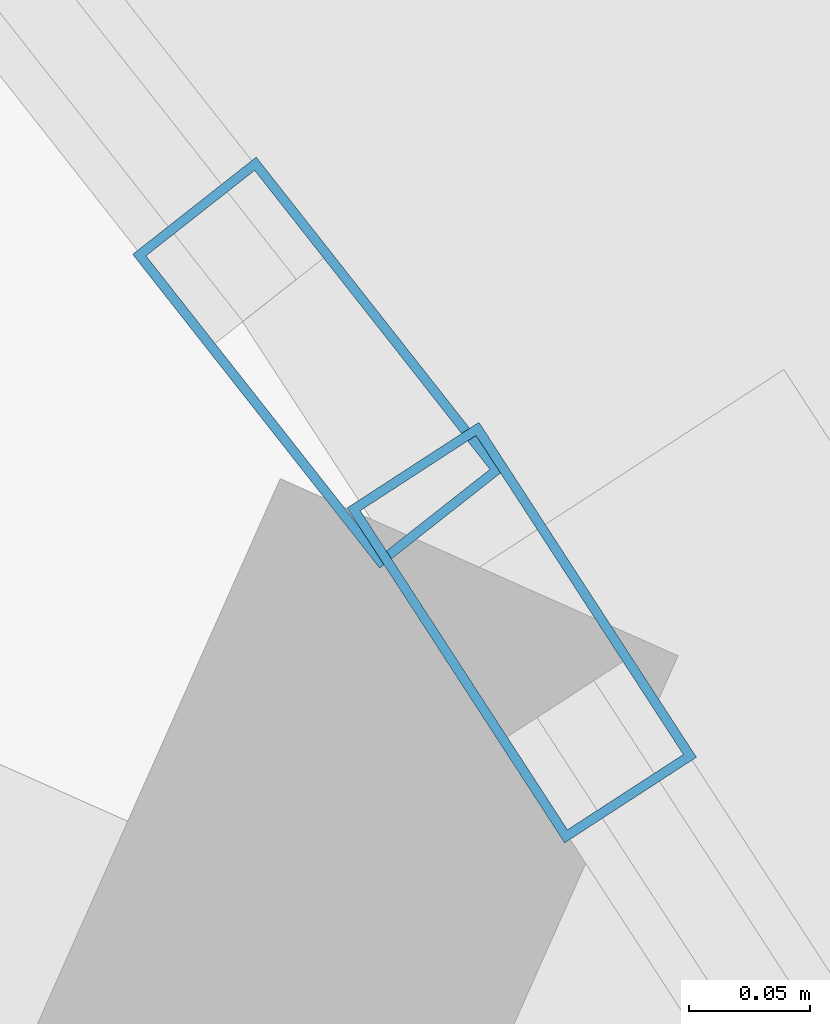
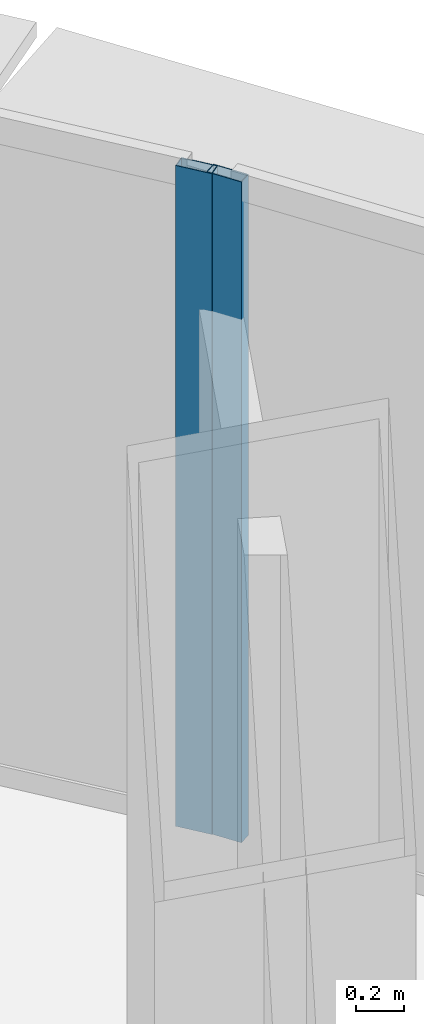
# One storey, part 19 of 38: 2 members, 2 elements without a shape of their own.
"""IFC4 building model written with IfcOpenShell, lengths in metres."""

from ifc_helpers import new_model, si_unit, direction, frame, origin, origin_2d, place, context, subcontext, project, spatial, hollow_rectangle, extrude, source, transform, mapped, material, layer, layer_set, material_profile, profile_set, type_object, element, aggregate, save


model = new_model("IFC4")

# Units and contexts
model_context = context("Model", 3, precision=1e-05, world=origin(), true_north=direction((0.0, 1.0)))
body_context = subcontext(model_context, "Body", "Model", "MODEL_VIEW")
ifc_project = project(units=[si_unit("LENGTHUNIT", "METRE"), si_unit("AREAUNIT", "SQUARE_METRE"), si_unit("VOLUMEUNIT", "CUBIC_METRE"), si_unit("PLANEANGLEUNIT", "RADIAN"), si_unit("MASSUNIT", "GRAM", prefix="KILO"), si_unit("THERMODYNAMICTEMPERATUREUNIT", "KELVIN"), si_unit("POWERUNIT", "WATT")], contexts=[model_context])

# Site, building, storey
site_placement = place(None, origin())
site = spatial("IfcSite", under=ifc_project, at=site_placement, CompositionType="ELEMENT")
building_placement = place(site_placement, origin())
building = spatial("IfcBuilding", under=site, at=building_placement, Name="Yunzhuo Pagoda Commons", CompositionType="ELEMENT")
storey_placement = place(building_placement, frame((0.0, 0.0, 37.659912109375)))
storey = spatial("IfcBuildingStorey", under=building, at=storey_placement, Name="L09", CompositionType="ELEMENT", Elevation=37.659912109375)

# Curtain wall, member
ifc_material = material(Name="Anodized aluminium 6063-T6", Category="aluminium")
ifc_layer = layer(ifc_material, 0.1650390625)
ifc_layer_set = layer_set([ifc_layer], Name="Anodized aluminium 6063-T6")
curtain_wall_type = type_object("IfcCurtainWallType", Name="CW-LOW Low-Zone Ribbon Curtain Wall", PredefinedType="NOTDEFINED", material=ifc_layer_set)
curtain_wall_1_placement = place(storey_placement, origin())
curtain_wall_1 = element("IfcCurtainWall", 1, at=curtain_wall_1_placement, inside=storey, type_object=curtain_wall_type, Name="L09 curtain wall CW-L09-F2B4", PredefinedType="NOTDEFINED")
ifc_material_profile = material_profile(ifc_material, hollow_rectangle(XDim=0.06494140625, YDim=0.1650390625, WallThickness=0.00390625, at=origin_2d()), Name="Anodized aluminium 6063-T6")
ifc_profile_set = profile_set([ifc_material_profile], Name="Anodized aluminium 6063-T6")
member_type = type_object("IfcMemberType", Name="CW-LOW-M Mullion RHS 165x65x4", PredefinedType="MULLION", material=ifc_profile_set)
shared_shape = source(origin(), body_context, "Body", "SweptSolid", [
    extrude(hollow_rectangle(XDim=0.06494140625, YDim=0.1650390625, WallThickness=0.00390625, at=origin_2d()), origin(), (0.0, 0.0, 1.0), 3.3701171875),
])
member_1_placement = place(storey_placement, frame((65.45703125, 72.84228515625, 0.0), z_axis=(0.0, 0.0, 1.0), x_axis=(-0.83865240069, -0.544667009114, 0.0)))
member_1 = element("IfcMember", 2, at=member_1_placement, type_object=member_type, Name="CW mullion 2", PredefinedType="MULLION", context=body_context, shape_type="MappedRepresentation", body=[
    mapped(shared_shape, transform((0.0, 0.0, 0.0), scale=1.0)),
])
aggregate(curtain_wall_1, [member_1])

curtain_wall_2_placement = place(storey_placement, origin())
curtain_wall_2 = element("IfcCurtainWall", 3, at=curtain_wall_2_placement, inside=storey, type_object=curtain_wall_type, Name="L09 curtain wall CW-L09-F2B5", PredefinedType="NOTDEFINED")
member_2_placement = place(storey_placement, frame((65.372802734375, 72.953857421875, 0.0), z_axis=(0.0, 0.0, 1.0), x_axis=(-0.785799632369, -0.618481153932, 0.0)))
member_2 = element("IfcMember", 4, at=member_2_placement, type_object=member_type, Name="CW mullion 1", PredefinedType="MULLION", context=body_context, shape_type="MappedRepresentation", body=[
    mapped(shared_shape, transform((0.0, 0.0, 0.0), scale=1.0)),
])
aggregate(curtain_wall_2, [member_2])

save(model, "model.ifc")
